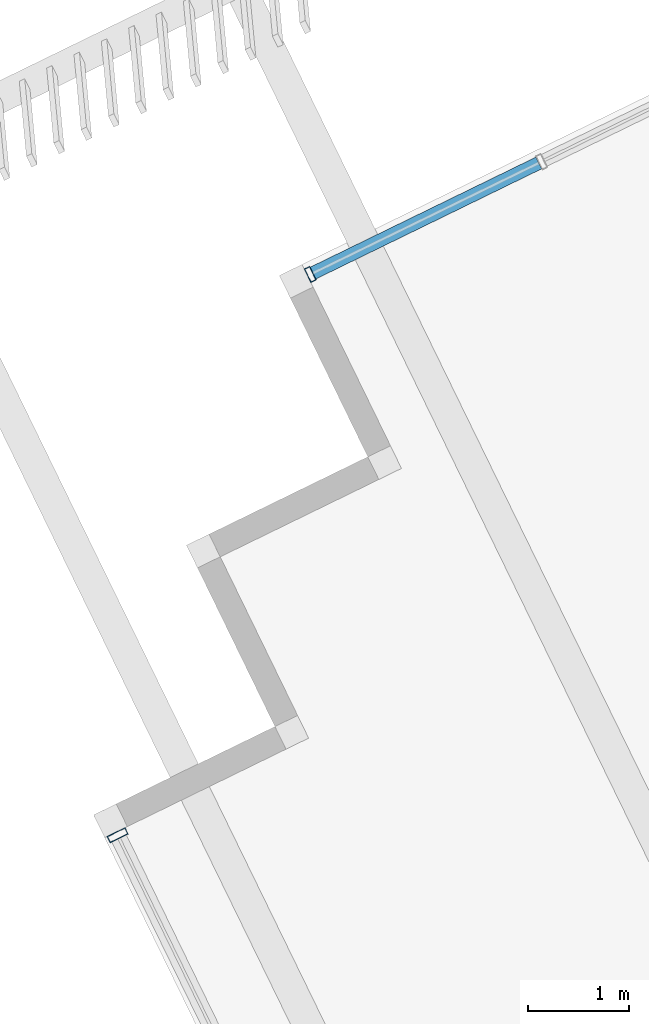
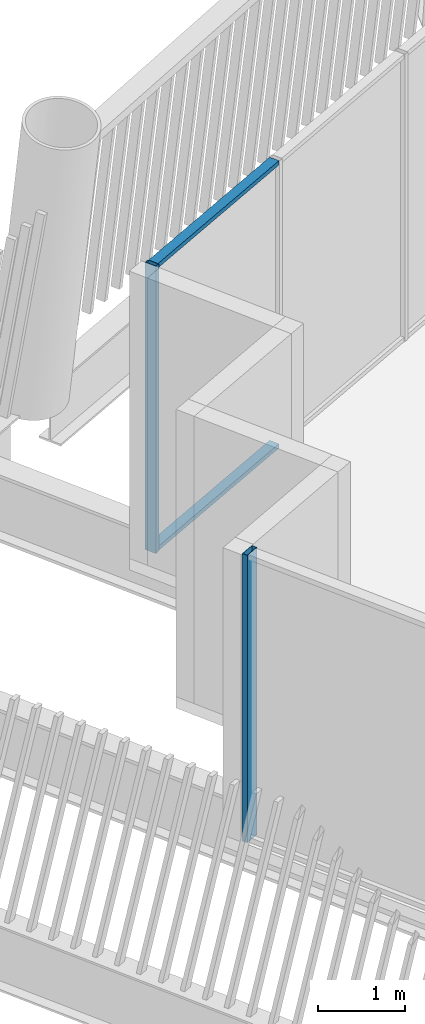
# One storey, part 8 of 31: 4 members, 2 elements without a shape of their own.
"""IFC4 building model written with IfcOpenShell, lengths in metres."""

import ifcopenshell
import ifcopenshell.guid

model = None  # the IFC model being written
_history = None  # IfcOwnerHistory: only IFC2X3 demands one
_inside = {}  # id of a spatial element -> (the spatial element, [elements in it])
_under = {}  # id of a project, library or spatial element -> (it, [spatial elements below it])
_declared = {}  # id of a project -> (the project, [libraries it declares])
_typed = {}  # id of a type object -> (the type object, [elements of that type])
_made_of = {}  # id of a material, layer set ... -> (it, [elements and type objects made of it])


def new_model(schema):
    """Start an empty IFC model of exactly this schema.

    Asked for "IFC4X3", IfcOpenShell would pick the latest addendum, in which some entities
    have other attributes; the version numbers below select the first issue.
    IFC2X3 requires an IfcOwnerHistory on every rooted entity: one is made here for all.
    """
    global model, _history
    if schema == "IFC4X3":
        model = ifcopenshell.file(schema_version=(4, 3, 0, 0))
    else:
        model = ifcopenshell.file(schema=schema)
    _inside.clear()
    _under.clear()
    _declared.clear()
    _typed.clear()
    _made_of.clear()
    _history = None
    if model.schema == "IFC2X3":
        org = make("IfcOrganization", Name="unknown")
        user = make(
            "IfcPersonAndOrganization",
            ThePerson=make("IfcPerson", FamilyName="unknown"),
            TheOrganization=org,
        )
        app = make(
            "IfcApplication",
            ApplicationDeveloper=org,
            Version="unknown",
            ApplicationFullName="unknown",
            ApplicationIdentifier="unknown",
        )
        _history = make(
            "IfcOwnerHistory",
            OwningUser=user,
            OwningApplication=app,
            ChangeAction="ADDED",
            CreationDate=0,
        )
    return model


def make(cls, **values):
    """One entity of the class cls with the attributes given. An attribute that is None is left unset."""
    return model.create_entity(
        cls, **{name: value for name, value in values.items() if value is not None}
    )


def rooted(cls, **values):
    """An entity with a GlobalId (a new one), such as an element, a storey or a relation."""
    return make(cls, GlobalId=ifcopenshell.guid.new(), OwnerHistory=_history, **values)


def si_unit(unit_type, name, prefix=None):
    """IfcSIUnit, for example si_unit("LENGTHUNIT", "METRE", prefix="MILLI")."""
    return make("IfcSIUnit", UnitType=unit_type, Prefix=prefix, Name=name)


def assignment(units):
    """IfcUnitAssignment: the units of a project."""
    return None if units is None else make("IfcUnitAssignment", Units=units)


def point(xyz):
    """IfcCartesianPoint."""
    return None if xyz is None else make("IfcCartesianPoint", Coordinates=xyz)


def direction(xyz):
    """IfcDirection."""
    return None if xyz is None else make("IfcDirection", DirectionRatios=xyz)


def frame(location, z_axis=None, x_axis=None):
    """IfcAxis2Placement3D, a coordinate frame: its origin and axes. An axis left out is left unset."""
    return make(
        "IfcAxis2Placement3D",
        Location=point(location),
        Axis=direction(z_axis),
        RefDirection=direction(x_axis),
    )


def frame_2d(location, x_axis=None):
    """IfcAxis2Placement2D, a coordinate frame in the plane: its origin and x axis."""
    return make(
        "IfcAxis2Placement2D", Location=point(location), RefDirection=direction(x_axis)
    )


def origin():
    """The frame at (0, 0, 0) with its axes left unset."""
    return frame((0.0, 0.0, 0.0))


def origin_2d():
    """The frame at (0, 0) in the plane with its x axis left unset."""
    return frame_2d((0.0, 0.0))


def place(relative_to, where):
    """IfcLocalPlacement: puts the frame where relative to a parent placement (None: the world)."""
    return make(
        "IfcLocalPlacement", PlacementRelTo=relative_to, RelativePlacement=where
    )


def context(
    kind, dimensions, precision=None, world=None, true_north=None, identifier=None
):
    """IfcGeometricRepresentationContext, for example the 3D "Model" context."""
    return make(
        "IfcGeometricRepresentationContext",
        ContextIdentifier=identifier,
        ContextType=kind,
        CoordinateSpaceDimension=dimensions,
        Precision=precision,
        WorldCoordinateSystem=world,
        TrueNorth=true_north,
    )


def subcontext(parent, identifier, kind, view, scale=None):
    """IfcGeometricRepresentationSubContext, for example "Body" below "Model"."""
    return make(
        "IfcGeometricRepresentationSubContext",
        ContextIdentifier=identifier,
        ContextType=kind,
        ParentContext=parent,
        TargetScale=scale,
        TargetView=view,
    )


def project(units=None, contexts=None):
    """IfcProject with its units and contexts."""
    return rooted(
        "IfcProject",
        Name="project",
        RepresentationContexts=contexts,
        UnitsInContext=assignment(units),
    )


def spatial(cls, under=None, at=None, **own):
    """A site, building, storey or space (cls), placed at a placement, below another one or the project."""
    s = rooted(cls, ObjectPlacement=at, **own)
    if under is not None:
        _under.setdefault(under.id(), (under, []))[1].append(s)
    return s


def profile(cls, at=None, kind="AREA", **sizes):
    """A parametric profile (cls). Its sizes go by their IFC names, for example OverallWidth=200.0."""
    return make(cls, ProfileType=kind, Position=at, **sizes)


def hollow_rectangle(**sizes):
    """IfcRectangleHollowProfileDef."""
    return profile("IfcRectangleHollowProfileDef", **sizes)


def extrude(swept, where, along, depth):
    """IfcExtrudedAreaSolid: the profile swept, set in the frame where, extruded along a direction by depth."""
    return make(
        "IfcExtrudedAreaSolid",
        SweptArea=swept,
        Position=where,
        ExtrudedDirection=direction(along),
        Depth=depth,
    )


def shape(context_of_items, identifier, shape_type, items):
    """IfcShapeRepresentation: the items that make up one representation, for example the "Body"."""
    return make(
        "IfcShapeRepresentation",
        ContextOfItems=context_of_items,
        RepresentationIdentifier=identifier,
        RepresentationType=shape_type,
        Items=items,
    )


def material(Name=None, Category=None):
    """IfcMaterial."""
    return make("IfcMaterial", Name=Name, Category=Category)


def layer(
    of_material, thickness, ventilated=None, Name=None, Category=None, Priority=None
):
    """IfcMaterialLayer: one layer of a wall or slab, of a material (None: an air gap)."""
    return make(
        "IfcMaterialLayer",
        Material=of_material,
        LayerThickness=thickness,
        IsVentilated=ventilated,
        Name=Name,
        Category=Category,
        Priority=Priority,
    )


def layer_set(layers, Name=None):
    """IfcMaterialLayerSet."""
    return make("IfcMaterialLayerSet", MaterialLayers=layers, LayerSetName=Name)


def material_profile(
    of_material, cross_section, Name=None, Category=None, Priority=None
):
    """IfcMaterialProfile: a cross section and its material."""
    return make(
        "IfcMaterialProfile",
        Name=Name,
        Material=of_material,
        Profile=cross_section,
        Priority=Priority,
        Category=Category,
    )


def profile_set(profiles, Name=None, composite=None):
    """IfcMaterialProfileSet."""
    return make(
        "IfcMaterialProfileSet",
        Name=Name,
        MaterialProfiles=profiles,
        CompositeProfile=composite,
    )


def made_of(thing, what):
    """Note that an element or type object is made of a material, layer set ...; save() writes the relation."""
    if what is not None:
        _made_of.setdefault(what.id(), (what, []))[1].append(thing)
    return thing


def type_object(cls, material=None, **own):
    """A type object (cls), such as IfcWallType, which elements share."""
    return made_of(rooted(cls, **own), material)


def element(
    cls,
    number,
    at=None,
    inside=None,
    cuts=None,
    type_object=None,
    material=None,
    context=None,
    identifier="Body",
    shape_type=None,
    held_by="IfcProductDefinitionShape",
    body=None,
    shapes=None,
    **own,
):
    """One element of the class cls, such as IfcWall. Its Tag is "e" and its number.

    at: its placement. inside: the storey or other place that contains it. cuts: it is an
    opening in that element (IfcRelVoidsElement). A single representation is given by context,
    identifier, shape_type and body (its items); several are given by shapes. held_by: the class
    of the entity that holds the representations. save() writes the other relations.
    """
    e = rooted(cls, Tag="e%d" % number, ObjectPlacement=at, **own)
    if body is not None:
        shapes = [shape(context, identifier, shape_type, body)]
    if shapes is not None:
        e.Representation = make(held_by, Representations=shapes)
    if inside is not None:
        _inside.setdefault(inside.id(), (inside, []))[1].append(e)
    if cuts is not None:
        rooted(
            "IfcRelVoidsElement", RelatingBuildingElement=cuts, RelatedOpeningElement=e
        )
    if type_object is not None:
        _typed.setdefault(type_object.id(), (type_object, []))[1].append(e)
    return made_of(e, material)


def aggregate(whole, parts):
    """IfcRelAggregates: a whole, such as a stair, and the parts it consists of."""
    return rooted("IfcRelAggregates", RelatingObject=whole, RelatedObjects=parts)


def save(model, path):
    """Write the relations noted so far, then the file.

    IfcRelAggregates (storeys below a building ...), IfcRelContainedInSpatialStructure (elements
    in a storey), IfcRelDefinesByType, IfcRelAssociatesMaterial and IfcRelDeclares: one each for
    every whole, place, type object, material and project.
    """
    for whole, parts in _under.values():
        aggregate(whole, parts)
    for where, things in _inside.values():
        rooted(
            "IfcRelContainedInSpatialStructure",
            RelatedElements=things,
            RelatingStructure=where,
        )
    for kind, things in _typed.values():
        rooted("IfcRelDefinesByType", RelatedObjects=things, RelatingType=kind)
    for what, things in _made_of.values():
        rooted("IfcRelAssociatesMaterial", RelatedObjects=things, RelatingMaterial=what)
    for by, libraries in _declared.values():
        rooted("IfcRelDeclares", RelatingContext=by, RelatedDefinitions=libraries)
    model.write(path)


model = new_model("IFC4")

# Units and contexts
model_context = context("Model", 3, precision=1e-05, world=origin(), true_north=direction((0.0, 1.0)))
body_context = subcontext(model_context, "Body", "Model", "MODEL_VIEW")
ifc_project = project(units=[si_unit("LENGTHUNIT", "METRE"), si_unit("AREAUNIT", "SQUARE_METRE"), si_unit("VOLUMEUNIT", "CUBIC_METRE"), si_unit("PLANEANGLEUNIT", "RADIAN"), si_unit("MASSUNIT", "GRAM", prefix="KILO")], contexts=[model_context])

# Site, building, storey
site_placement = place(None, origin())
site = spatial("IfcSite", under=ifc_project, at=site_placement, CompositionType="ELEMENT")
building_placement = place(site_placement, origin())
building = spatial("IfcBuilding", under=site, at=building_placement, Name="Tarsis Ring Headquarters", CompositionType="ELEMENT")
storey_placement = place(building_placement, frame((0.0, 0.0, 390.199951171875)))
storey = spatial("IfcBuildingStorey", under=building, at=storey_placement, Name="L92", CompositionType="ELEMENT", Elevation=390.199951171875)

# Curtain wall, member
ifc_material_1 = material(Name="Aluminium curtain wall", Category="aluminium")
ifc_layer_1 = layer(ifc_material_1, 0.199951171875)
ifc_layer_set_1 = layer_set([ifc_layer_1], Name="Curtain wall executive tip")
curtain_wall_type_1 = type_object("IfcCurtainWallType", Name="Curtain wall executive tip", PredefinedType="NOTDEFINED", material=ifc_layer_set_1)
curtain_wall_1_placement = place(storey_placement, origin())
curtain_wall_1 = element("IfcCurtainWall", 1, at=curtain_wall_1_placement, inside=storey, type_object=curtain_wall_type_1, Name="Curtain wall L92-36", PredefinedType="NOTDEFINED")
ifc_material_2 = material(Name="Aluminium mullion", Category="aluminium")
ifc_material_profile_1 = material_profile(ifc_material_2, hollow_rectangle(XDim=0.199951171875, YDim=0.070068359375, WallThickness=0.0048828125, at=origin_2d()), Name="RHS 200x70x5")
ifc_profile_set_1 = profile_set([ifc_material_profile_1], Name="Aluminium mullion")
member_type_1 = type_object("IfcMemberType", Name="Curtain wall mullion executive tip RHS 200x70x5", PredefinedType="MULLION", material=ifc_profile_set_1)
member_1_placement = place(storey_placement, frame((-39.221435546875, -10.5458984375, 0.0), z_axis=(0.0, 0.0, 1.0), x_axis=(0.898794031686, 0.438371176751, 0.0)))
member_1 = element("IfcMember", 2, at=member_1_placement, type_object=member_type_1, Name="CW-E mullion 1", PredefinedType="MULLION", context=body_context, shape_type="SweptSolid", body=[
    extrude(hollow_rectangle(XDim=0.199951171875, YDim=0.070068359375, WallThickness=0.0048828125, at=origin_2d()), origin(), (0.0, 0.0, 1.0), 4.0400390625),
])
aggregate(curtain_wall_1, [member_1])

# Curtain wall, members
ifc_layer_2 = layer(ifc_material_1, 0.14990234375)
ifc_layer_set_2 = layer_set([ifc_layer_2], Name="Curtain wall tower unit")
curtain_wall_type_2 = type_object("IfcCurtainWallType", Name="Curtain wall tower unit", PredefinedType="NOTDEFINED", material=ifc_layer_set_2)
curtain_wall_2_placement = place(storey_placement, origin())
curtain_wall_2 = element("IfcCurtainWall", 3, at=curtain_wall_2_placement, inside=storey, type_object=curtain_wall_type_2, Name="Curtain wall L92-31", PredefinedType="NOTDEFINED")
ifc_material_profile_2 = material_profile(ifc_material_2, hollow_rectangle(XDim=0.14990234375, YDim=0.06005859375, WallThickness=0.0048828125, at=origin_2d()), Name="RHS 150x60x5")
ifc_profile_set_2 = profile_set([ifc_material_profile_2], Name="Aluminium mullion")
member_type_2 = type_object("IfcMemberType", Name="Curtain wall mullion tower unit RHS 150x60x5", PredefinedType="MULLION", material=ifc_profile_set_2)
member_2_placement = place(storey_placement, frame((-37.310546875, -4.9853515625, 0.0), z_axis=(0.0, 0.0, 1.0), x_axis=(0.438371155762, -0.898794041923, 0.0)))
member_2 = element("IfcMember", 4, at=member_2_placement, type_object=member_type_2, Name="CW-T mullion 6", PredefinedType="MULLION", context=body_context, shape_type="SweptSolid", body=[
    extrude(hollow_rectangle(XDim=0.14990234375, YDim=0.06005859375, WallThickness=0.0048828125, at=origin_2d()), origin(), (0.0, 0.0, 1.0), 4.0400390625),
])
ifc_material_3 = material(Name="Aluminium transom", Category="aluminium")
ifc_material_profile_3 = material_profile(ifc_material_3, hollow_rectangle(XDim=0.1298828125, YDim=0.06005859375, WallThickness=0.0048828125, at=origin_2d()), Name="RHS 130x60x5")
ifc_profile_set_3 = profile_set([ifc_material_profile_3], Name="Aluminium transom")
member_type_3 = type_object("IfcMemberType", Name="Curtain wall transom tower unit RHS 130x60x5", PredefinedType="USERDEFINED", material=ifc_profile_set_3)
member_3_placement = place(storey_placement, frame((-35.04541015625, -3.880615234375, 0.030029296875), z_axis=(-0.898814609559, -0.438328983348, 0.0), x_axis=(0.438328983348, -0.898814609559, 0.0)))
member_3 = element("IfcMember", 5, at=member_3_placement, type_object=member_type_3, Name="CW-T transom 5.1", ObjectType="TRANSOM", PredefinedType="USERDEFINED", context=body_context, shape_type="SweptSolid", body=[
    extrude(hollow_rectangle(XDim=0.1298828125, YDim=0.06005859375, WallThickness=0.0048828125, at=origin_2d()), origin(), (0.0, 0.0, 1.0), 2.490234375),
])
member_4_placement = place(storey_placement, frame((-35.04541015625, -3.880615234375, 4.010009765625), z_axis=(-0.898814609559, -0.438328983348, 0.0), x_axis=(0.438328983348, -0.898814609559, 0.0)))
member_4 = element("IfcMember", 6, at=member_4_placement, type_object=member_type_3, Name="CW-T transom 5.2", ObjectType="TRANSOM", PredefinedType="USERDEFINED", context=body_context, shape_type="SweptSolid", body=[
    extrude(hollow_rectangle(XDim=0.1298828125, YDim=0.06005859375, WallThickness=0.0048828125, at=origin_2d()), origin(), (0.0, 0.0, 1.0), 2.490234375),
])
aggregate(curtain_wall_2, [member_2, member_3, member_4])

save(model, "model.ifc")
